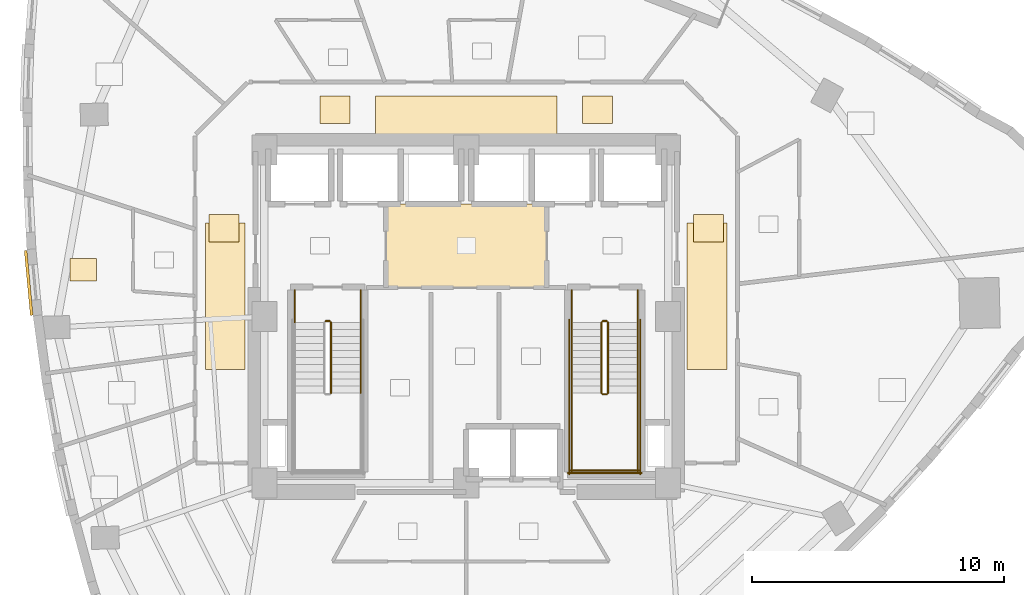
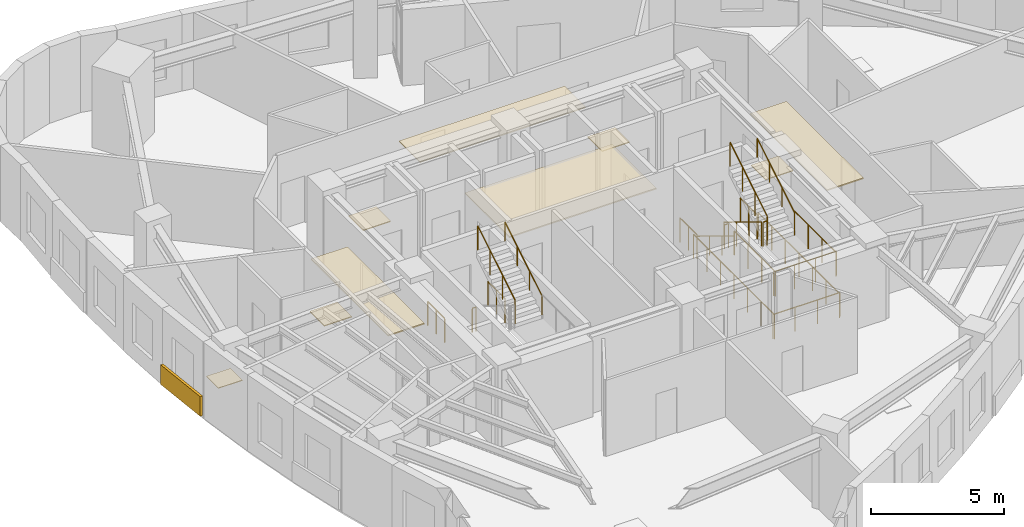
# One storey, part 11 of 12: 19 railings, 10 coverings.
"""IFC4 building model written with IfcOpenShell, lengths in metres."""

from ifc_helpers import new_model, si_unit, direction, frame, origin, origin_2d, place, context, subcontext, project, spatial, rectangle, circle, extrude, material, layer, layer_set, type_object, element, save


model = new_model("IFC4")

# Units and contexts
model_context = context("Model", 3, precision=1e-05, world=origin(), true_north=direction((0.0, 1.0)))
body_context = subcontext(model_context, "Body", "Model", "MODEL_VIEW")
ifc_project = project(units=[si_unit("LENGTHUNIT", "METRE"), si_unit("AREAUNIT", "SQUARE_METRE"), si_unit("VOLUMEUNIT", "CUBIC_METRE"), si_unit("PLANEANGLEUNIT", "RADIAN"), si_unit("MASSUNIT", "GRAM", prefix="KILO")], contexts=[model_context])

# Site, building, storey
site_placement = place(None, origin())
site = spatial("IfcSite", under=ifc_project, at=site_placement, CompositionType="ELEMENT")
building_placement = place(site_placement, origin())
building = spatial("IfcBuilding", under=site, at=building_placement, Name="Ndelora Gate Hotel", CompositionType="ELEMENT")
storey_placement = place(building_placement, frame((0.0, 0.0, 153.5)))
storey = spatial("IfcBuildingStorey", under=building, at=storey_placement, Name="L38", CompositionType="ELEMENT", Elevation=153.5)

# Coverings
ifc_material_1 = material(Name="Perforated Acoustic Gypsum Board", Category="gypsum")
ifc_layer_1 = layer(ifc_material_1, 0.054931640625)
ifc_layer_set_1 = layer_set([ifc_layer_1], Name="Perforated Acoustic Gypsum Board")
covering_type_1 = type_object("IfcCoveringType", Name="COV-CEIL-AC60", PredefinedType="CEILING", material=ifc_layer_set_1)
covering_1_placement = place(storey_placement, frame((0.0, 2.800048828125, 2.72265625), z_axis=(0.0, 0.0, 1.0), x_axis=(1.0, 0.0, 0.0)))
element("IfcCovering", 1, at=covering_1_placement, inside=storey, type_object=covering_type_1, Name="L38 Lift Lobby Acoustic Ceiling", PredefinedType="CEILING", context=body_context, shape_type="SweptSolid", body=[
    extrude(rectangle(XDim=6.39990234375, YDim=3.340087890625, at=origin_2d()), origin(), (0.0, 0.0, 1.0), 0.054931640625),
])
covering_2_placement = place(storey_placement, frame((0.0, 7.9599609375, 2.65234375), z_axis=(0.0, 0.0, 1.0), x_axis=(1.0, 0.0, 0.0)))
element("IfcCovering", 2, at=covering_2_placement, inside=storey, type_object=covering_type_1, Name="L38 Guest Corridor Acoustic Ceiling N", PredefinedType="CEILING", context=body_context, shape_type="SweptSolid", body=[
    extrude(rectangle(XDim=7.199951171875, YDim=1.580078125, at=origin_2d()), origin(), (0.0, 0.0, 1.0), 0.054931640625),
])
for number, where, z_axis, x_axis, name in (
    (3, (-9.550048828125, 0.800048828125, 2.65234375), (0.0, 0.0, 1.0), (1.0, 0.0, 0.0), "L38 Guest Corridor Acoustic Ceiling W"),
    (4, (9.550048828125, 0.800048828125, 2.65234375), (0.0, 0.0, 1.0), (1.0, 0.0, 0.0), "L38 Guest Corridor Acoustic Ceiling E"),
):
    element("IfcCovering", number, at=place(storey_placement, frame(where, z_axis=z_axis, x_axis=x_axis)), inside=storey, type_object=covering_type_1, Name=name, PredefinedType="CEILING", context=body_context, shape_type="SweptSolid", body=[
        extrude(rectangle(XDim=1.580078125, YDim=5.800048828125, at=origin_2d()), origin(), (0.0, 0.0, 1.0), 0.054931640625),
    ])
ifc_material_2 = material(Name="Terracotta Fired Clay Brick Slip Cladding", Category="masonry")
ifc_layer_2 = layer(ifc_material_2, 0.110107421875)
ifc_layer_set_2 = layer_set([ifc_layer_2], Name="Terracotta Fired Clay Brick Slip Cladding")
covering_type_2 = type_object("IfcCoveringType", Name="COV-CLAD-BRK", PredefinedType="CLADDING", material=ifc_layer_set_2)
covering_3_placement = place(storey_placement, frame((-17.343505859375, 1.336669921875, 0.10009765625), z_axis=(0.0, 0.0, 1.0), x_axis=(-0.093239485886, 0.995643710507, 0.0)))
element("IfcCovering", 5, at=covering_3_placement, inside=storey, type_object=covering_type_2, Name="L38 Rounded-Corner Brick Cladding Band 13", PredefinedType="CLADDING", context=body_context, shape_type="SweptSolid", body=[
    extrude(rectangle(XDim=2.583984375, YDim=0.110107421875, at=origin_2d()), origin(), (0.0, 0.0, 1.0), 0.89990234375),
])
ifc_material_3 = material(Name="Engineered Highland Oak Parquet", Category="wood")
ifc_layer_3 = layer(ifc_material_3, 0.030029296875)
ifc_layer_set_3 = layer_set([ifc_layer_3], Name="Engineered Highland Oak Parquet")
covering_type_3 = type_object("IfcCoveringType", Name="COV-FLR-PARQ", PredefinedType="FLOORING", material=ifc_layer_set_3)
covering_4_placement = place(storey_placement, frame((-15.17919921875, 1.85302734375, 0.0), z_axis=(0.0, 0.0, 1.0), x_axis=(1.0, 0.0, 0.0)))
element("IfcCovering", 6, at=covering_4_placement, inside=storey, type_object=covering_type_3, Name="L38 Club Twin Guest Room 4107 Oak Parquet Flooring", PredefinedType="FLOORING", context=body_context, shape_type="SweptSolid", body=[
    extrude(rectangle(XDim=1.050048828125, YDim=0.89990234375, at=origin_2d()), origin(), (0.0, 0.0, 1.0), 0.030029296875),
])
ifc_material_4 = material(Name="Polished Highland Stone Terrazzo", Category="masonry")
ifc_layer_4 = layer(ifc_material_4, 0.034912109375)
ifc_layer_set_4 = layer_set([ifc_layer_4], Name="Polished Highland Stone Terrazzo")
covering_type_4 = type_object("IfcCoveringType", Name="COV-FLR-TERZ", PredefinedType="FLOORING", material=ifc_layer_set_4)
for number, where, z_axis, x_axis, name in (
    (7, (-5.199951171875, 8.199951171875, 0.0), (0.0, 0.0, 1.0), (1.0, 0.0, 0.0), "L38 Corridor Threshold Terrazzo Inlay NW"),
    (8, (5.199951171875, 8.199951171875, 0.0), (0.0, 0.0, 1.0), (1.0, 0.0, 0.0), "L38 Corridor Threshold Terrazzo Inlay NE"),
    (9, (-9.60009765625, 3.5, 0.0), (0.0, 0.0, 1.0), (1.0, 0.0, 0.0), "L38 Corridor Threshold Terrazzo Inlay W"),
    (10, (9.60009765625, 3.5, 0.0), (0.0, 0.0, 1.0), (1.0, 0.0, 0.0), "L38 Corridor Threshold Terrazzo Inlay E"),
):
    element("IfcCovering", number, at=place(storey_placement, frame(where, z_axis=z_axis, x_axis=x_axis)), inside=storey, type_object=covering_type_4, Name=name, PredefinedType="FLOORING", context=body_context, shape_type="SweptSolid", body=[
        extrude(rectangle(XDim=1.199951171875, YDim=1.10009765625, at=origin_2d()), origin(), (0.0, 0.0, 1.0), 0.034912109375),
    ])

# Railings
ifc_material_5 = material(Name="Painted Galvanized Steel Balustrade", Category="steel")
ifc_layer_5 = layer(ifc_material_5, 0.06005859375)
ifc_layer_set_5 = layer_set([ifc_layer_5], Name="Painted Galvanized Steel Balustrade")
railing_type_1 = type_object("IfcRailingType", Name="RL-STAIR-GD", PredefinedType="GUARDRAIL", material=ifc_layer_set_5)
railing_1_placement = place(storey_placement, frame((-5.360107421875, -3.030029296875, 2.04541015625)))
element("IfcRailing", 11, at=railing_1_placement, inside=storey, type_object=railing_type_1, Name="L38 ST4 stair guard 6", PredefinedType="GUARDRAIL", context=body_context, shape_type="SweptSolid", body=[
    extrude(circle(Radius=0.02392578125, at=origin_2d()), frame((0.0, 0.0, 1.10595703125), z_axis=(0.0, 0.854169791009, 0.51999420009), x_axis=(-1.0, 0.0, 0.0)), (0.0, 0.0, 1.0), 3.278076171875),
    extrude(circle(Radius=0.02099609375, at=origin_2d()), origin(), (0.0, 0.0, 1.0), 1.081787109375),
    extrude(circle(Radius=0.02099609375, at=origin_2d()), frame((0.0, 0.933349609375, 0.568115234375)), (0.0, 0.0, 1.0), 1.081787109375),
    extrude(circle(Radius=0.02099609375, at=origin_2d()), frame((0.0, 1.86669921875, 1.136474609375)), (0.0, 0.0, 1.0), 1.081787109375),
    extrude(circle(Radius=0.02099609375, at=origin_2d()), frame((0.0, 2.800048828125, 1.70458984375)), (0.0, 0.0, 1.0), 1.081787109375),
])
railing_2_placement = place(storey_placement, frame((-5.570068359375, -0.179931640625, 0.0)))
element("IfcRailing", 12, at=railing_2_placement, inside=storey, type_object=railing_type_1, Name="L38 ST4 stair guard 7", PredefinedType="GUARDRAIL", context=body_context, shape_type="SweptSolid", body=[
    extrude(circle(Radius=0.02392578125, at=origin_2d()), frame((0.0, 0.0, 1.10595703125), z_axis=(1.0, 0.0, 0.0), x_axis=(0.0, 1.0, 0.0)), (0.0, 0.0, 1.0), 0.16015625),
    extrude(circle(Radius=0.02099609375, at=origin_2d()), origin(), (0.0, 0.0, 1.0), 1.081787109375),
    extrude(circle(Radius=0.02099609375, at=origin_2d()), frame((0.16015625, 0.0, 0.0)), (0.0, 0.0, 1.0), 1.081787109375),
])
for number, where, name in (
    (13, (-6.800048828125, 1.050048828125, 0.0), "L38 ST4 stair guard 8"),
    (14, (-4.179931640625, 1.050048828125, 0.0), "L38 ST4 stair guard 9"),
):
    element("IfcRailing", number, at=place(storey_placement, frame(where)), inside=storey, type_object=railing_type_1, Name=name, PredefinedType="GUARDRAIL", context=body_context, shape_type="SweptSolid", body=[
        extrude(circle(Radius=0.02392578125, at=origin_2d()), frame((0.0, 0.0, 1.10595703125), z_axis=(0.0, -1.0, 0.0), x_axis=(1.0, 0.0, 0.0)), (0.0, 0.0, 1.0), 1.280029296875),
        extrude(circle(Radius=0.02099609375, at=origin_2d()), origin(), (0.0, 0.0, 1.0), 1.081787109375),
        extrude(circle(Radius=0.02099609375, at=origin_2d()), frame((0.0, -0.64013671875, 0.0)), (0.0, 0.0, 1.0), 1.081787109375),
        extrude(circle(Radius=0.02099609375, at=origin_2d()), frame((0.0, -1.280029296875, 0.0)), (0.0, 0.0, 1.0), 1.081787109375),
    ])
railing_3_placement = place(storey_placement, frame((5.360107421875, -0.22998046875, 0.17041015625)))
element("IfcRailing", 15, at=railing_3_placement, inside=storey, type_object=railing_type_1, Name="L38 ST5 stair guard 1", PredefinedType="GUARDRAIL", context=body_context, shape_type="SweptSolid", body=[
    extrude(circle(Radius=0.02392578125, at=origin_2d()), frame((0.0, 0.0, 1.10595703125), z_axis=(0.0, -0.854169791009, 0.51999420009), x_axis=(1.0, 0.0, 0.0)), (0.0, 0.0, 1.0), 3.278076171875),
    extrude(circle(Radius=0.02099609375, at=origin_2d()), origin(), (0.0, 0.0, 1.0), 1.081787109375),
    extrude(circle(Radius=0.02099609375, at=origin_2d()), frame((0.0, -0.933349609375, 0.568115234375)), (0.0, 0.0, 1.0), 1.081787109375),
    extrude(circle(Radius=0.02099609375, at=origin_2d()), frame((0.0, -1.86669921875, 1.136474609375)), (0.0, 0.0, 1.0), 1.081787109375),
    extrude(circle(Radius=0.02099609375, at=origin_2d()), frame((0.0, -2.800048828125, 1.70458984375)), (0.0, 0.0, 1.0), 1.081787109375),
])
railing_4_placement = place(storey_placement, frame((5.409912109375, -3.080078125, 1.875)))
element("IfcRailing", 16, at=railing_4_placement, inside=storey, type_object=railing_type_1, Name="L38 ST5 stair guard 2", PredefinedType="GUARDRAIL", context=body_context, shape_type="SweptSolid", body=[
    extrude(circle(Radius=0.02392578125, at=origin_2d()), frame((0.0, 0.0, 1.10595703125), z_axis=(1.0, 0.0, 0.0), x_axis=(0.0, 1.0, 0.0)), (0.0, 0.0, 1.0), 0.16015625),
    extrude(circle(Radius=0.02099609375, at=origin_2d()), origin(), (0.0, 0.0, 1.0), 1.081787109375),
    extrude(circle(Radius=0.02099609375, at=origin_2d()), frame((0.16015625, 0.0, 0.0)), (0.0, 0.0, 1.0), 1.081787109375),
])
for number, where, name in (
    (17, (4.179931640625, -3.030029296875, 1.875), "L38 ST5 stair guard 3"),
    (18, (6.800048828125, -3.030029296875, 1.875), "L38 ST5 stair guard 4"),
):
    element("IfcRailing", number, at=place(storey_placement, frame(where)), inside=storey, type_object=railing_type_1, Name=name, PredefinedType="GUARDRAIL", context=body_context, shape_type="SweptSolid", body=[
        extrude(circle(Radius=0.02392578125, at=origin_2d()), frame((0.0, 0.0, 1.10595703125), z_axis=(0.0, -1.0, 0.0), x_axis=(1.0, 0.0, 0.0)), (0.0, 0.0, 1.0), 3.119873046875),
        extrude(circle(Radius=0.02099609375, at=origin_2d()), origin(), (0.0, 0.0, 1.0), 1.081787109375),
        extrude(circle(Radius=0.02099609375, at=origin_2d()), frame((0.0, -1.0400390625, 0.0)), (0.0, 0.0, 1.0), 1.081787109375),
        extrude(circle(Radius=0.02099609375, at=origin_2d()), frame((0.0, -2.079833984375, 0.0)), (0.0, 0.0, 1.0), 1.081787109375),
        extrude(circle(Radius=0.02099609375, at=origin_2d()), frame((0.0, -3.119873046875, 0.0)), (0.0, 0.0, 1.0), 1.081787109375),
    ])
railing_5_placement = place(storey_placement, frame((4.1298828125, -6.10009765625, 1.875)))
element("IfcRailing", 19, at=railing_5_placement, inside=storey, type_object=railing_type_1, Name="L38 ST5 stair guard 5", PredefinedType="GUARDRAIL", context=body_context, shape_type="SweptSolid", body=[
    extrude(circle(Radius=0.02392578125, at=origin_2d()), frame((0.0, 0.0, 1.10595703125), z_axis=(1.0, 0.0, 0.0), x_axis=(0.0, 1.0, 0.0)), (0.0, 0.0, 1.0), 2.72021484375),
    extrude(circle(Radius=0.02099609375, at=origin_2d()), origin(), (0.0, 0.0, 1.0), 1.081787109375),
    extrude(circle(Radius=0.02099609375, at=origin_2d()), frame((0.90673828125, 0.0, 0.0)), (0.0, 0.0, 1.0), 1.081787109375),
    extrude(circle(Radius=0.02099609375, at=origin_2d()), frame((1.8134765625, 0.0, 0.0)), (0.0, 0.0, 1.0), 1.081787109375),
    extrude(circle(Radius=0.02099609375, at=origin_2d()), frame((2.72021484375, 0.0, 0.0)), (0.0, 0.0, 1.0), 1.081787109375),
])
railing_6_placement = place(storey_placement, frame((5.6201171875, -3.030029296875, 2.04541015625)))
element("IfcRailing", 20, at=railing_6_placement, inside=storey, type_object=railing_type_1, Name="L38 ST5 stair guard 6", PredefinedType="GUARDRAIL", context=body_context, shape_type="SweptSolid", body=[
    extrude(circle(Radius=0.02392578125, at=origin_2d()), frame((0.0, 0.0, 1.10595703125), z_axis=(0.0, 0.854169791009, 0.51999420009), x_axis=(-1.0, 0.0, 0.0)), (0.0, 0.0, 1.0), 3.278076171875),
    extrude(circle(Radius=0.02099609375, at=origin_2d()), origin(), (0.0, 0.0, 1.0), 1.081787109375),
    extrude(circle(Radius=0.02099609375, at=origin_2d()), frame((0.0, 0.933349609375, 0.568115234375)), (0.0, 0.0, 1.0), 1.081787109375),
    extrude(circle(Radius=0.02099609375, at=origin_2d()), frame((0.0, 1.86669921875, 1.136474609375)), (0.0, 0.0, 1.0), 1.081787109375),
    extrude(circle(Radius=0.02099609375, at=origin_2d()), frame((0.0, 2.800048828125, 1.70458984375)), (0.0, 0.0, 1.0), 1.081787109375),
])
railing_7_placement = place(storey_placement, frame((5.409912109375, -0.179931640625, 0.0)))
element("IfcRailing", 21, at=railing_7_placement, inside=storey, type_object=railing_type_1, Name="L38 ST5 stair guard 7", PredefinedType="GUARDRAIL", context=body_context, shape_type="SweptSolid", body=[
    extrude(circle(Radius=0.02392578125, at=origin_2d()), frame((0.0, 0.0, 1.10595703125), z_axis=(1.0, 0.0, 0.0), x_axis=(0.0, 1.0, 0.0)), (0.0, 0.0, 1.0), 0.16015625),
    extrude(circle(Radius=0.02099609375, at=origin_2d()), origin(), (0.0, 0.0, 1.0), 1.081787109375),
    extrude(circle(Radius=0.02099609375, at=origin_2d()), frame((0.16015625, 0.0, 0.0)), (0.0, 0.0, 1.0), 1.081787109375),
])
for number, where, name in (
    (22, (4.179931640625, 1.050048828125, 0.0), "L38 ST5 stair guard 8"),
    (23, (6.800048828125, 1.050048828125, 0.0), "L38 ST5 stair guard 9"),
):
    element("IfcRailing", number, at=place(storey_placement, frame(where)), inside=storey, type_object=railing_type_1, Name=name, PredefinedType="GUARDRAIL", context=body_context, shape_type="SweptSolid", body=[
        extrude(circle(Radius=0.02392578125, at=origin_2d()), frame((0.0, 0.0, 1.10595703125), z_axis=(0.0, -1.0, 0.0), x_axis=(1.0, 0.0, 0.0)), (0.0, 0.0, 1.0), 1.280029296875),
        extrude(circle(Radius=0.02099609375, at=origin_2d()), origin(), (0.0, 0.0, 1.0), 1.081787109375),
        extrude(circle(Radius=0.02099609375, at=origin_2d()), frame((0.0, -0.64013671875, 0.0)), (0.0, 0.0, 1.0), 1.081787109375),
        extrude(circle(Radius=0.02099609375, at=origin_2d()), frame((0.0, -1.280029296875, 0.0)), (0.0, 0.0, 1.0), 1.081787109375),
    ])
for number, where, name in (
    (24, (4.080078125, -0.1298828125, 0.0), "L38 ST5 stair guard 10"),
    (25, (6.89990234375, -0.1298828125, 0.0), "L38 ST5 stair guard 11"),
):
    element("IfcRailing", number, at=place(storey_placement, frame(where)), inside=storey, type_object=railing_type_1, Name=name, PredefinedType="GUARDRAIL", context=body_context, shape_type="SweptSolid", body=[
        extrude(circle(Radius=0.02392578125, at=origin_2d()), frame((0.0, 0.0, 1.10595703125), z_axis=(0.0, -1.0, 0.0), x_axis=(1.0, 0.0, 0.0)), (0.0, 0.0, 1.0), 6.1201171875),
        extrude(circle(Radius=0.02099609375, at=origin_2d()), origin(), (0.0, 0.0, 1.0), 1.081787109375),
        extrude(circle(Radius=0.02099609375, at=origin_2d()), frame((0.0, -1.02001953125, 0.0)), (0.0, 0.0, 1.0), 1.081787109375),
        extrude(circle(Radius=0.02099609375, at=origin_2d()), frame((0.0, -2.0400390625, 0.0)), (0.0, 0.0, 1.0), 1.081787109375),
        extrude(circle(Radius=0.02099609375, at=origin_2d()), frame((0.0, -3.06005859375, 0.0)), (0.0, 0.0, 1.0), 1.081787109375),
        extrude(circle(Radius=0.02099609375, at=origin_2d()), frame((0.0, -4.080078125, 0.0)), (0.0, 0.0, 1.0), 1.081787109375),
        extrude(circle(Radius=0.02099609375, at=origin_2d()), frame((0.0, -5.10009765625, 0.0)), (0.0, 0.0, 1.0), 1.081787109375),
        extrude(circle(Radius=0.02099609375, at=origin_2d()), frame((0.0, -6.1201171875, 0.0)), (0.0, 0.0, 1.0), 1.081787109375),
    ])
railing_8_placement = place(storey_placement, frame((4.030029296875, -6.199951171875, 0.0)))
element("IfcRailing", 26, at=railing_8_placement, inside=storey, type_object=railing_type_1, Name="L38 ST5 stair guard 12", PredefinedType="GUARDRAIL", context=body_context, shape_type="SweptSolid", body=[
    extrude(circle(Radius=0.02392578125, at=origin_2d()), frame((0.0, 0.0, 1.10595703125), z_axis=(1.0, 0.0, 0.0), x_axis=(0.0, 1.0, 0.0)), (0.0, 0.0, 1.0), 2.919921875),
    extrude(circle(Radius=0.02099609375, at=origin_2d()), origin(), (0.0, 0.0, 1.0), 1.081787109375),
    extrude(circle(Radius=0.02099609375, at=origin_2d()), frame((0.973388671875, 0.0, 0.0)), (0.0, 0.0, 1.0), 1.081787109375),
    extrude(circle(Radius=0.02099609375, at=origin_2d()), frame((1.946533203125, 0.0, 0.0)), (0.0, 0.0, 1.0), 1.081787109375),
    extrude(circle(Radius=0.02099609375, at=origin_2d()), frame((2.919921875, 0.0, 0.0)), (0.0, 0.0, 1.0), 1.081787109375),
])
ifc_material_6 = material(Name="Brushed Stainless Steel 316", Category="steel")
ifc_layer_6 = layer(ifc_material_6, 0.050048828125)
ifc_layer_set_6 = layer_set([ifc_layer_6], Name="Brushed Stainless Steel 316")
railing_type_2 = type_object("IfcRailingType", Name="RL-STAIR-HR", PredefinedType="HANDRAIL", material=ifc_layer_set_6)
railing_9_placement = place(storey_placement, frame((-4.179931640625, -3.030029296875, 2.04541015625)))
element("IfcRailing", 27, at=railing_9_placement, inside=storey, type_object=railing_type_2, Name="L38 ST4 stair handrail 2", PredefinedType="HANDRAIL", context=body_context, shape_type="SweptSolid", body=[
    extrude(circle(Radius=0.02392578125, at=origin_2d()), frame((0.0, 0.0, 0.8759765625), z_axis=(0.0, 0.854169791009, 0.51999420009), x_axis=(-1.0, 0.0, 0.0)), (0.0, 0.0, 1.0), 3.278076171875),
    extrude(circle(Radius=0.02099609375, at=origin_2d()), origin(), (0.0, 0.0, 1.0), 0.851806640625),
    extrude(circle(Radius=0.02099609375, at=origin_2d()), frame((0.0, 0.933349609375, 0.568115234375)), (0.0, 0.0, 1.0), 0.851806640625),
    extrude(circle(Radius=0.02099609375, at=origin_2d()), frame((0.0, 1.86669921875, 1.136474609375)), (0.0, 0.0, 1.0), 0.851806640625),
    extrude(circle(Radius=0.02099609375, at=origin_2d()), frame((0.0, 2.800048828125, 1.70458984375)), (0.0, 0.0, 1.0), 0.851806640625),
])
railing_10_placement = place(storey_placement, frame((4.179931640625, -0.22998046875, 0.17041015625)))
element("IfcRailing", 28, at=railing_10_placement, inside=storey, type_object=railing_type_2, Name="L38 ST5 stair handrail 1", PredefinedType="HANDRAIL", context=body_context, shape_type="SweptSolid", body=[
    extrude(circle(Radius=0.02392578125, at=origin_2d()), frame((0.0, 0.0, 0.8759765625), z_axis=(0.0, -0.854169791009, 0.51999420009), x_axis=(1.0, 0.0, 0.0)), (0.0, 0.0, 1.0), 3.278076171875),
    extrude(circle(Radius=0.02099609375, at=origin_2d()), origin(), (0.0, 0.0, 1.0), 0.851806640625),
    extrude(circle(Radius=0.02099609375, at=origin_2d()), frame((0.0, -0.933349609375, 0.568115234375)), (0.0, 0.0, 1.0), 0.851806640625),
    extrude(circle(Radius=0.02099609375, at=origin_2d()), frame((0.0, -1.86669921875, 1.136474609375)), (0.0, 0.0, 1.0), 0.851806640625),
    extrude(circle(Radius=0.02099609375, at=origin_2d()), frame((0.0, -2.800048828125, 1.70458984375)), (0.0, 0.0, 1.0), 0.851806640625),
])
railing_11_placement = place(storey_placement, frame((6.800048828125, -3.030029296875, 2.04541015625)))
element("IfcRailing", 29, at=railing_11_placement, inside=storey, type_object=railing_type_2, Name="L38 ST5 stair handrail 2", PredefinedType="HANDRAIL", context=body_context, shape_type="SweptSolid", body=[
    extrude(circle(Radius=0.02392578125, at=origin_2d()), frame((0.0, 0.0, 0.8759765625), z_axis=(0.0, 0.854169791009, 0.51999420009), x_axis=(-1.0, 0.0, 0.0)), (0.0, 0.0, 1.0), 3.278076171875),
    extrude(circle(Radius=0.02099609375, at=origin_2d()), origin(), (0.0, 0.0, 1.0), 0.851806640625),
    extrude(circle(Radius=0.02099609375, at=origin_2d()), frame((0.0, 0.933349609375, 0.568115234375)), (0.0, 0.0, 1.0), 0.851806640625),
    extrude(circle(Radius=0.02099609375, at=origin_2d()), frame((0.0, 1.86669921875, 1.136474609375)), (0.0, 0.0, 1.0), 0.851806640625),
    extrude(circle(Radius=0.02099609375, at=origin_2d()), frame((0.0, 2.800048828125, 1.70458984375)), (0.0, 0.0, 1.0), 0.851806640625),
])

save(model, "model.ifc")
